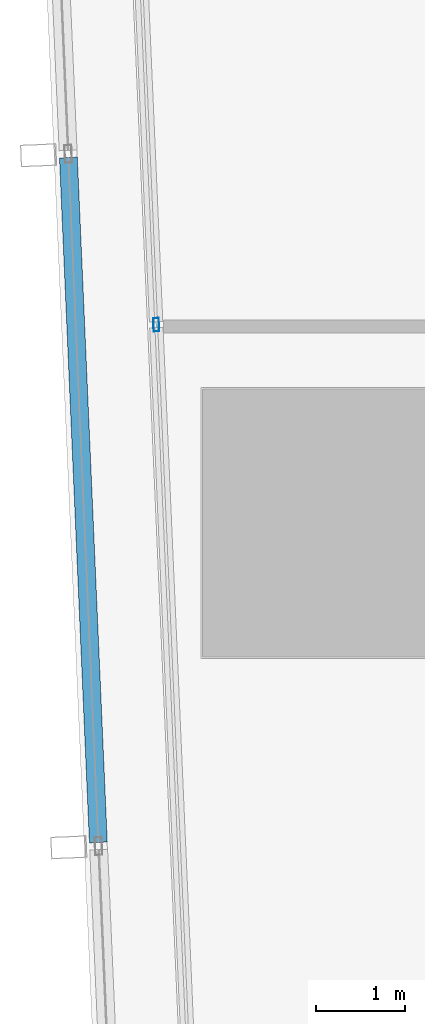
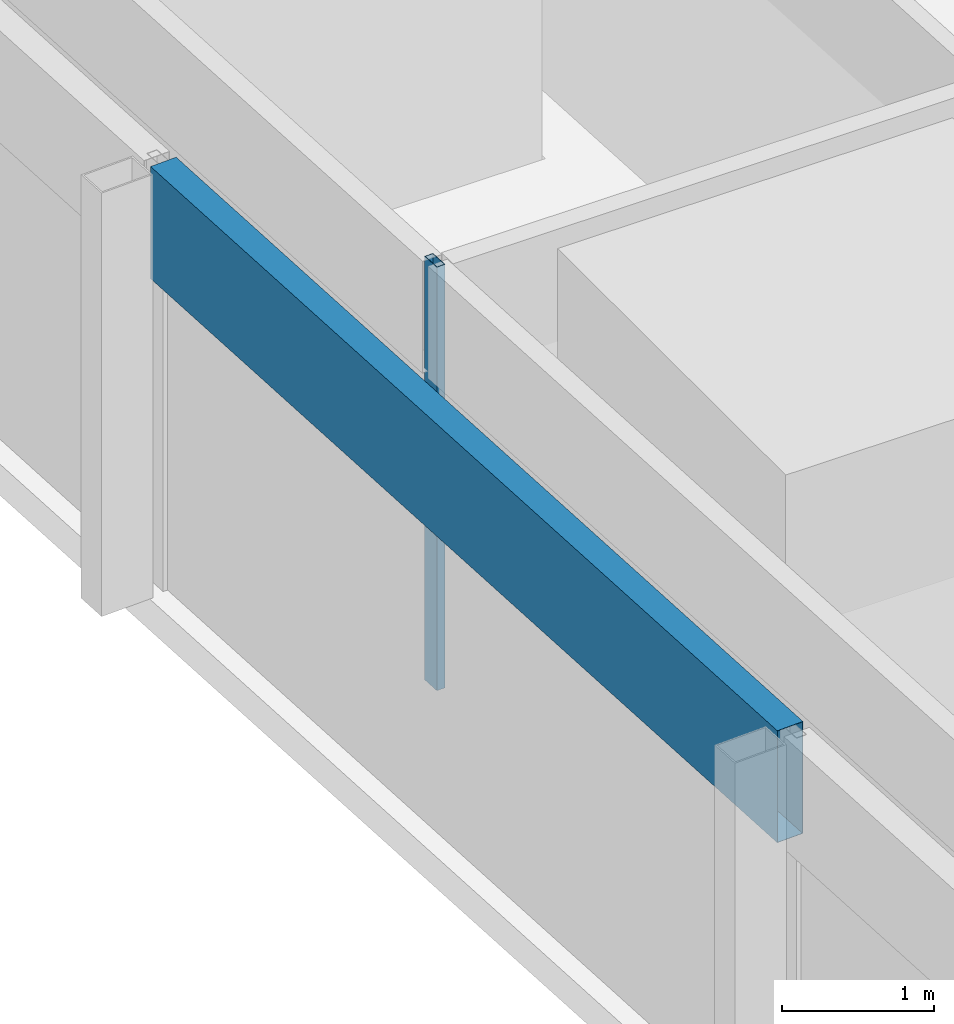
# One storey, part 8 of 44: 2 members, 2 elements without a shape of their own.
"""IFC4 building model written with IfcOpenShell, lengths in metres."""

import ifcopenshell
import ifcopenshell.guid

model = None  # the IFC model being written
_history = None  # IfcOwnerHistory: only IFC2X3 demands one
_inside = {}  # id of a spatial element -> (the spatial element, [elements in it])
_under = {}  # id of a project, library or spatial element -> (it, [spatial elements below it])
_declared = {}  # id of a project -> (the project, [libraries it declares])
_typed = {}  # id of a type object -> (the type object, [elements of that type])
_made_of = {}  # id of a material, layer set ... -> (it, [elements and type objects made of it])


def new_model(schema):
    """Start an empty IFC model of exactly this schema.

    Asked for "IFC4X3", IfcOpenShell would pick the latest addendum, in which some entities
    have other attributes; the version numbers below select the first issue.
    IFC2X3 requires an IfcOwnerHistory on every rooted entity: one is made here for all.
    """
    global model, _history
    if schema == "IFC4X3":
        model = ifcopenshell.file(schema_version=(4, 3, 0, 0))
    else:
        model = ifcopenshell.file(schema=schema)
    _inside.clear()
    _under.clear()
    _declared.clear()
    _typed.clear()
    _made_of.clear()
    _history = None
    if model.schema == "IFC2X3":
        org = make("IfcOrganization", Name="unknown")
        user = make(
            "IfcPersonAndOrganization",
            ThePerson=make("IfcPerson", FamilyName="unknown"),
            TheOrganization=org,
        )
        app = make(
            "IfcApplication",
            ApplicationDeveloper=org,
            Version="unknown",
            ApplicationFullName="unknown",
            ApplicationIdentifier="unknown",
        )
        _history = make(
            "IfcOwnerHistory",
            OwningUser=user,
            OwningApplication=app,
            ChangeAction="ADDED",
            CreationDate=0,
        )
    return model


def make(cls, **values):
    """One entity of the class cls with the attributes given. An attribute that is None is left unset."""
    return model.create_entity(
        cls, **{name: value for name, value in values.items() if value is not None}
    )


def rooted(cls, **values):
    """An entity with a GlobalId (a new one), such as an element, a storey or a relation."""
    return make(cls, GlobalId=ifcopenshell.guid.new(), OwnerHistory=_history, **values)


def si_unit(unit_type, name, prefix=None):
    """IfcSIUnit, for example si_unit("LENGTHUNIT", "METRE", prefix="MILLI")."""
    return make("IfcSIUnit", UnitType=unit_type, Prefix=prefix, Name=name)


def assignment(units):
    """IfcUnitAssignment: the units of a project."""
    return None if units is None else make("IfcUnitAssignment", Units=units)


def point(xyz):
    """IfcCartesianPoint."""
    return None if xyz is None else make("IfcCartesianPoint", Coordinates=xyz)


def direction(xyz):
    """IfcDirection."""
    return None if xyz is None else make("IfcDirection", DirectionRatios=xyz)


def frame(location, z_axis=None, x_axis=None):
    """IfcAxis2Placement3D, a coordinate frame: its origin and axes. An axis left out is left unset."""
    return make(
        "IfcAxis2Placement3D",
        Location=point(location),
        Axis=direction(z_axis),
        RefDirection=direction(x_axis),
    )


def frame_2d(location, x_axis=None):
    """IfcAxis2Placement2D, a coordinate frame in the plane: its origin and x axis."""
    return make(
        "IfcAxis2Placement2D", Location=point(location), RefDirection=direction(x_axis)
    )


def origin():
    """The frame at (0, 0, 0) with its axes left unset."""
    return frame((0.0, 0.0, 0.0))


def origin_2d():
    """The frame at (0, 0) in the plane with its x axis left unset."""
    return frame_2d((0.0, 0.0))


def place(relative_to, where):
    """IfcLocalPlacement: puts the frame where relative to a parent placement (None: the world)."""
    return make(
        "IfcLocalPlacement", PlacementRelTo=relative_to, RelativePlacement=where
    )


def context(
    kind, dimensions, precision=None, world=None, true_north=None, identifier=None
):
    """IfcGeometricRepresentationContext, for example the 3D "Model" context."""
    return make(
        "IfcGeometricRepresentationContext",
        ContextIdentifier=identifier,
        ContextType=kind,
        CoordinateSpaceDimension=dimensions,
        Precision=precision,
        WorldCoordinateSystem=world,
        TrueNorth=true_north,
    )


def subcontext(parent, identifier, kind, view, scale=None):
    """IfcGeometricRepresentationSubContext, for example "Body" below "Model"."""
    return make(
        "IfcGeometricRepresentationSubContext",
        ContextIdentifier=identifier,
        ContextType=kind,
        ParentContext=parent,
        TargetScale=scale,
        TargetView=view,
    )


def project(units=None, contexts=None):
    """IfcProject with its units and contexts."""
    return rooted(
        "IfcProject",
        Name="project",
        RepresentationContexts=contexts,
        UnitsInContext=assignment(units),
    )


def spatial(cls, under=None, at=None, **own):
    """A site, building, storey or space (cls), placed at a placement, below another one or the project."""
    s = rooted(cls, ObjectPlacement=at, **own)
    if under is not None:
        _under.setdefault(under.id(), (under, []))[1].append(s)
    return s


def profile(cls, at=None, kind="AREA", **sizes):
    """A parametric profile (cls). Its sizes go by their IFC names, for example OverallWidth=200.0."""
    return make(cls, ProfileType=kind, Position=at, **sizes)


def hollow_rectangle(**sizes):
    """IfcRectangleHollowProfileDef."""
    return profile("IfcRectangleHollowProfileDef", **sizes)


def extrude(swept, where, along, depth):
    """IfcExtrudedAreaSolid: the profile swept, set in the frame where, extruded along a direction by depth."""
    return make(
        "IfcExtrudedAreaSolid",
        SweptArea=swept,
        Position=where,
        ExtrudedDirection=direction(along),
        Depth=depth,
    )


def shape(context_of_items, identifier, shape_type, items):
    """IfcShapeRepresentation: the items that make up one representation, for example the "Body"."""
    return make(
        "IfcShapeRepresentation",
        ContextOfItems=context_of_items,
        RepresentationIdentifier=identifier,
        RepresentationType=shape_type,
        Items=items,
    )


def material(Name=None, Category=None):
    """IfcMaterial."""
    return make("IfcMaterial", Name=Name, Category=Category)


def material_profile(
    of_material, cross_section, Name=None, Category=None, Priority=None
):
    """IfcMaterialProfile: a cross section and its material."""
    return make(
        "IfcMaterialProfile",
        Name=Name,
        Material=of_material,
        Profile=cross_section,
        Priority=Priority,
        Category=Category,
    )


def profile_set(profiles, Name=None, composite=None):
    """IfcMaterialProfileSet."""
    return make(
        "IfcMaterialProfileSet",
        Name=Name,
        MaterialProfiles=profiles,
        CompositeProfile=composite,
    )


def made_of(thing, what):
    """Note that an element or type object is made of a material, layer set ...; save() writes the relation."""
    if what is not None:
        _made_of.setdefault(what.id(), (what, []))[1].append(thing)
    return thing


def type_object(cls, material=None, **own):
    """A type object (cls), such as IfcWallType, which elements share."""
    return made_of(rooted(cls, **own), material)


def element(
    cls,
    number,
    at=None,
    inside=None,
    cuts=None,
    type_object=None,
    material=None,
    context=None,
    identifier="Body",
    shape_type=None,
    held_by="IfcProductDefinitionShape",
    body=None,
    shapes=None,
    **own,
):
    """One element of the class cls, such as IfcWall. Its Tag is "e" and its number.

    at: its placement. inside: the storey or other place that contains it. cuts: it is an
    opening in that element (IfcRelVoidsElement). A single representation is given by context,
    identifier, shape_type and body (its items); several are given by shapes. held_by: the class
    of the entity that holds the representations. save() writes the other relations.
    """
    e = rooted(cls, Tag="e%d" % number, ObjectPlacement=at, **own)
    if body is not None:
        shapes = [shape(context, identifier, shape_type, body)]
    if shapes is not None:
        e.Representation = make(held_by, Representations=shapes)
    if inside is not None:
        _inside.setdefault(inside.id(), (inside, []))[1].append(e)
    if cuts is not None:
        rooted(
            "IfcRelVoidsElement", RelatingBuildingElement=cuts, RelatedOpeningElement=e
        )
    if type_object is not None:
        _typed.setdefault(type_object.id(), (type_object, []))[1].append(e)
    return made_of(e, material)


def aggregate(whole, parts):
    """IfcRelAggregates: a whole, such as a stair, and the parts it consists of."""
    return rooted("IfcRelAggregates", RelatingObject=whole, RelatedObjects=parts)


def save(model, path):
    """Write the relations noted so far, then the file.

    IfcRelAggregates (storeys below a building ...), IfcRelContainedInSpatialStructure (elements
    in a storey), IfcRelDefinesByType, IfcRelAssociatesMaterial and IfcRelDeclares: one each for
    every whole, place, type object, material and project.
    """
    for whole, parts in _under.values():
        aggregate(whole, parts)
    for where, things in _inside.values():
        rooted(
            "IfcRelContainedInSpatialStructure",
            RelatedElements=things,
            RelatingStructure=where,
        )
    for kind, things in _typed.values():
        rooted("IfcRelDefinesByType", RelatedObjects=things, RelatingType=kind)
    for what, things in _made_of.values():
        rooted("IfcRelAssociatesMaterial", RelatedObjects=things, RelatingMaterial=what)
    for by, libraries in _declared.values():
        rooted("IfcRelDeclares", RelatingContext=by, RelatedDefinitions=libraries)
    model.write(path)


model = new_model("IFC4")

# Units and contexts
model_context = context("Model", 3, precision=1e-05, world=origin(), true_north=direction((0.0, 1.0)))
body_context = subcontext(model_context, "Body", "Model", "MODEL_VIEW")
ifc_project = project(units=[si_unit("LENGTHUNIT", "METRE"), si_unit("AREAUNIT", "SQUARE_METRE"), si_unit("VOLUMEUNIT", "CUBIC_METRE"), si_unit("PLANEANGLEUNIT", "RADIAN"), si_unit("MASSUNIT", "GRAM", prefix="KILO")], contexts=[model_context])

# Site, building, storey
site_placement = place(None, origin())
site = spatial("IfcSite", under=ifc_project, at=site_placement, CompositionType="ELEMENT")
building_placement = place(site_placement, origin())
building = spatial("IfcBuilding", under=site, at=building_placement, Name="Rekha Terrace Tower", CompositionType="ELEMENT")
storey_placement = place(building_placement, frame((0.0, 0.0, 81.64990234375)))
storey = spatial("IfcBuildingStorey", under=building, at=storey_placement, Name="L20", CompositionType="ELEMENT", Elevation=81.64990234375)

# Curtain wall, member
ifc_material_1 = material(Name="Aluminium framing", Category="aluminium")
curtain_wall_type_1 = type_object("IfcCurtainWallType", Name="CW1 double skin inner glazing", PredefinedType="USERDEFINED", material=ifc_material_1)
curtain_wall_1_placement = place(storey_placement, origin())
curtain_wall_1 = element("IfcCurtainWall", 1, at=curtain_wall_1_placement, inside=storey, type_object=curtain_wall_type_1, Name="CW1 double skin inner glazing", ObjectType="DOUBLE SKIN INNER GLAZING", PredefinedType="USERDEFINED")
ifc_material_2 = material(Name="Aluminium mullion section", Category="aluminium")
ifc_material_profile_1 = material_profile(ifc_material_2, hollow_rectangle(XDim=0.06494140625, YDim=0.14990234375, WallThickness=0.00390625, at=origin_2d()), Name="AL RHS 65x150")
ifc_profile_set_1 = profile_set([ifc_material_profile_1], Name="Aluminium mullion section")
member_type_1 = type_object("IfcMemberType", Name="CW1 mullion RHS 65 x 150", PredefinedType="MULLION", material=ifc_profile_set_1)
member_1_placement = place(storey_placement, frame((6.38330078125, 35.819580078125, 0.0), z_axis=(0.0, 0.0, 1.0), x_axis=(0.999045462133, 0.04368254332, 0.0)))
member_1 = element("IfcMember", 2, at=member_1_placement, type_object=member_type_1, Name="CW1 mullion 2", PredefinedType="MULLION", context=body_context, shape_type="SweptSolid", body=[
    extrude(hollow_rectangle(XDim=0.06494140625, YDim=0.14990234375, WallThickness=0.00390625, at=origin_2d()), origin(), (0.0, 0.0, 1.0), 3.400146484375),
])
aggregate(curtain_wall_1, [member_1])

curtain_wall_type_2 = type_object("IfcCurtainWallType", Name="CW2 double skin outer glazing", PredefinedType="USERDEFINED", material=ifc_material_1)
curtain_wall_2_placement = place(storey_placement, origin())
curtain_wall_2 = element("IfcCurtainWall", 3, at=curtain_wall_2_placement, inside=storey, type_object=curtain_wall_type_2, Name="CW2 double skin outer glazing", ObjectType="DOUBLE SKIN OUTER GLAZING", PredefinedType="USERDEFINED")
ifc_material_3 = material(Name="Insulated aluminium spandrel box", Category="aluminium")
ifc_material_profile_2 = material_profile(ifc_material_3, hollow_rectangle(XDim=0.199951171875, YDim=0.89990234375, WallThickness=0.0029296875, at=origin_2d()), Name="AL SPANDREL BOX 200x900")
ifc_profile_set_2 = profile_set([ifc_material_profile_2], Name="Insulated aluminium spandrel box")
member_type_2 = type_object("IfcMemberType", Name="CW2 spandrel transom 200 x 900", PredefinedType="USERDEFINED", material=ifc_profile_set_2)
member_2_placement = place(storey_placement, frame((5.400634765625, 37.690185546875, 2.9501953125), z_axis=(0.04369270591, -0.99904501773, 0.0), x_axis=(0.99904501773, 0.04369270591, 0.0)))
member_2 = element("IfcMember", 4, at=member_2_placement, type_object=member_type_2, Name="CW2 spandrel transom 2", ObjectType="TRANSOM", PredefinedType="USERDEFINED", context=body_context, shape_type="SweptSolid", body=[
    extrude(hollow_rectangle(XDim=0.199951171875, YDim=0.89990234375, WallThickness=0.0029296875, at=origin_2d()), origin(), (0.0, 0.0, 1.0), 7.671875),
])
aggregate(curtain_wall_2, [member_2])

save(model, "model.ifc")
